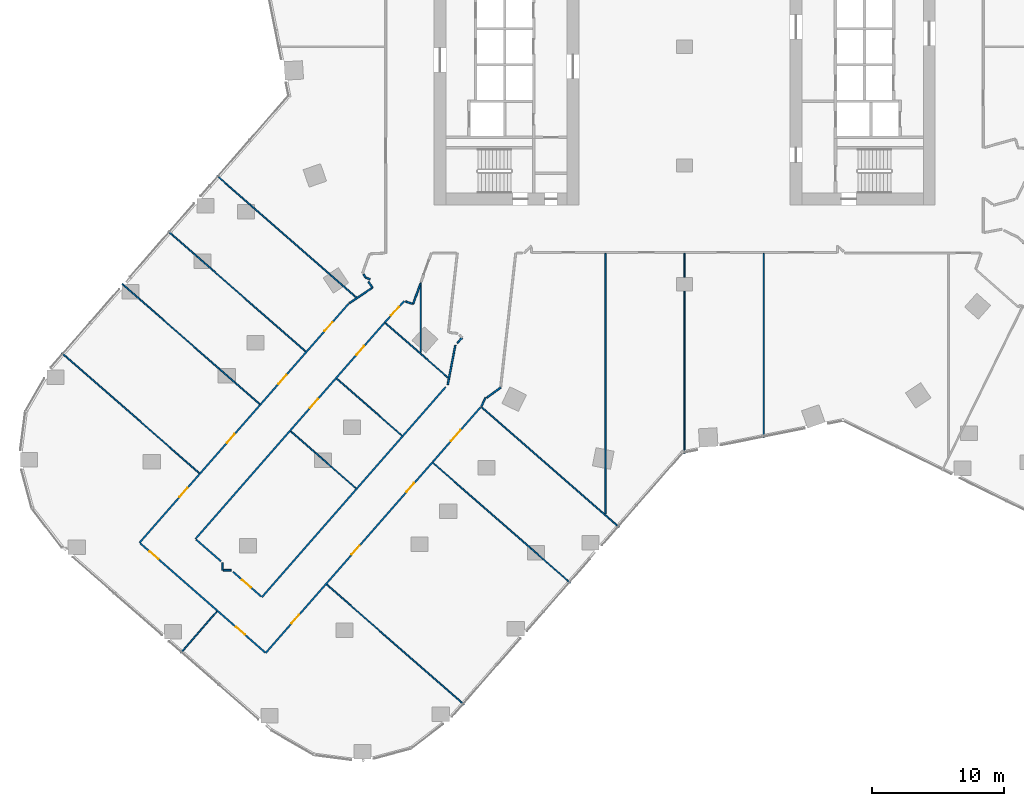
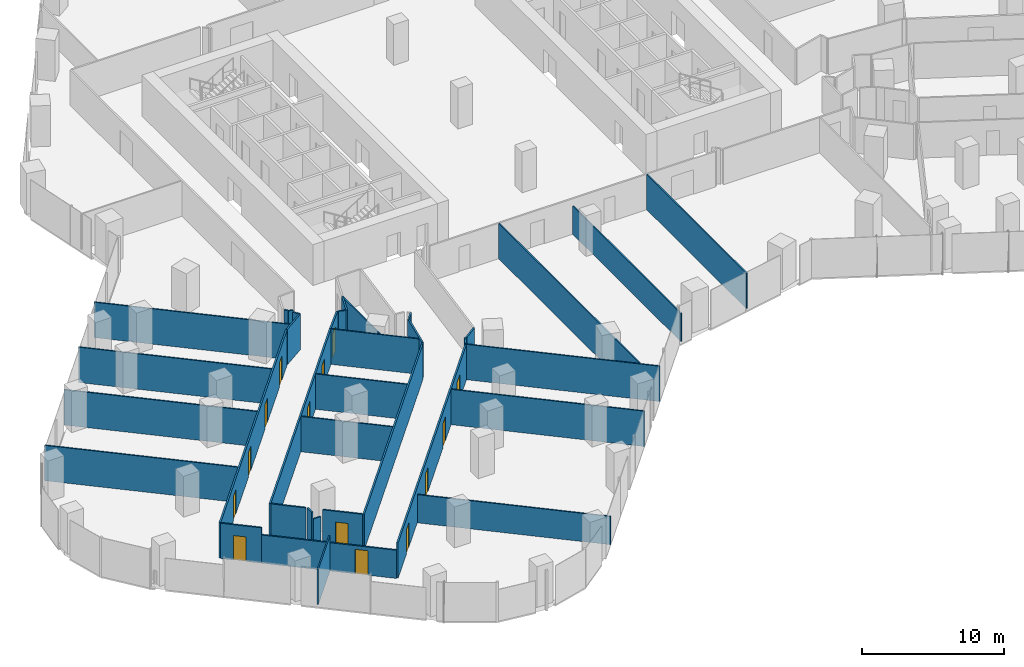
# One storey, part 26 of 38: 36 walls, 14 doors, 14 openings.
"""IFC4 building model written with IfcOpenShell, lengths in metres."""

from ifc_helpers import new_model, si_unit, direction, frame, frame_2d, origin, place, context, subcontext, project, spatial, rectangle, extrude, material, layer, layer_set, type_object, element, fill, save


model = new_model("IFC4")

# Units and contexts
model_context = context("Model", 3, precision=1e-05, world=origin(), true_north=direction((0.0, 1.0)))
body_context = subcontext(model_context, "Body", "Model", "MODEL_VIEW")
ifc_project = project(units=[si_unit("LENGTHUNIT", "METRE"), si_unit("AREAUNIT", "SQUARE_METRE"), si_unit("VOLUMEUNIT", "CUBIC_METRE"), si_unit("PLANEANGLEUNIT", "RADIAN"), si_unit("MASSUNIT", "GRAM", prefix="KILO")], contexts=[model_context])

# Site, building, storey
site_placement = place(None, origin())
site = spatial("IfcSite", under=ifc_project, at=site_placement, CompositionType="ELEMENT")
building_placement = place(site_placement, origin())
building = spatial("IfcBuilding", under=site, at=building_placement, Name="Orlundy Tower", CompositionType="ELEMENT")
storey_placement = place(building_placement, frame((0.0, 0.0, 72.800048828125)))
storey = spatial("IfcBuildingStorey", under=building, at=storey_placement, Name="L17", CompositionType="ELEMENT", Elevation=72.800048828125)

# Walls
ifc_material_1 = material(Name="Gypsum board partition")
ifc_layer_1 = layer(ifc_material_1, 0.10009765625)
ifc_layer_set_1 = layer_set([ifc_layer_1], Name="Floor partition 100")
wall_type_1 = type_object("IfcWallType", Name="Floor partition 100", PredefinedType="PARTITIONING", material=ifc_layer_set_1)
wall_1_placement = place(storey_placement, frame((-47.201904296875, -23.218994140625, 0.0), z_axis=(0.0, 0.0, 1.0), x_axis=(0.752795260656, -0.658254734531, 0.0)))
element("IfcWall", 1, at=wall_1_placement, inside=storey, type_object=wall_type_1, Name="wall-int-L17-014", PredefinedType="PARTITIONING", context=body_context, shape_type="SweptSolid", body=[
    extrude(rectangle(XDim=13.83642578125, YDim=0.10009765625, at=frame_2d((6.918212890625, 0.0))), origin(), (0.0, 0.0, 1.0), 3.030029296875),
])
wall_2_placement = place(storey_placement, frame((-42.6279296875, -17.987060546875, 0.0), z_axis=(0.0, 0.0, 1.0), x_axis=(0.752825840036, -0.65821976161, 0.0)))
element("IfcWall", 2, at=wall_2_placement, inside=storey, type_object=wall_type_1, Name="wall-int-L17-016", PredefinedType="PARTITIONING", context=body_context, shape_type="SweptSolid", body=[
    extrude(rectangle(XDim=13.837158203125, YDim=0.10009765625, at=frame_2d((6.91845703125, 0.0))), origin(), (0.0, 0.0, 1.0), 3.030029296875),
])
wall_3_placement = place(storey_placement, frame((-29.85791015625, -29.153076171875, 0.0), z_axis=(0.0, 0.0, 1.0), x_axis=(0.752836606275, -0.658207447734, 0.0)))
element("IfcWall", 3, at=wall_3_placement, inside=storey, type_object=wall_type_1, Name="wall-int-L17-017", PredefinedType="PARTITIONING", context=body_context, shape_type="SweptSolid", body=[
    extrude(rectangle(XDim=6.57373046875, YDim=0.10009765625, at=frame_2d((3.286865234375, 0.0))), origin(), (0.0, 0.0, 1.0), 3.030029296875),
])
wall_4_placement = place(storey_placement, frame((-39.138916015625, -13.9970703125, 0.0), z_axis=(0.0, 0.0, 1.0), x_axis=(0.752825840036, -0.65821976161, 0.0)))
element("IfcWall", 4, at=wall_4_placement, inside=storey, type_object=wall_type_1, Name="wall-int-L17-018", PredefinedType="PARTITIONING", context=body_context, shape_type="SweptSolid", body=[
    extrude(rectangle(XDim=13.837158203125, YDim=0.10009765625, at=frame_2d((6.91845703125, 0.0))), origin(), (0.0, 0.0, 1.0), 3.030029296875),
])
wall_5_placement = place(storey_placement, frame((-26.368896484375, -25.1630859375, 0.0), z_axis=(0.0, 0.0, 1.0), x_axis=(0.752836606275, -0.658207447734, 0.0)))
element("IfcWall", 5, at=wall_5_placement, inside=storey, type_object=wall_type_1, Name="wall-int-L17-019", PredefinedType="PARTITIONING", context=body_context, shape_type="SweptSolid", body=[
    extrude(rectangle(XDim=6.57373046875, YDim=0.10009765625, at=frame_2d((3.286865234375, 0.0))), origin(), (0.0, 0.0, 1.0), 3.030029296875),
])
wall_6_placement = place(storey_placement, frame((-19.06689453125, -31.548095703125, 0.0), z_axis=(0.0, 0.0, 1.0), x_axis=(0.752795260656, -0.658254734531, 0.0)))
element("IfcWall", 6, at=wall_6_placement, inside=storey, type_object=wall_type_1, Name="wall-int-L17-020", PredefinedType="PARTITIONING", context=body_context, shape_type="SweptSolid", body=[
    extrude(rectangle(XDim=13.83642578125, YDim=0.10009765625, at=frame_2d((6.918212890625, 0.0))), origin(), (0.0, 0.0, 1.0), 3.030029296875),
])
wall_7_placement = place(storey_placement, frame((-35.447998046875, -9.77587890625, 0.0), z_axis=(0.0, 0.0, 1.0), x_axis=(0.752752526875, -0.658303602666, 0.0)))
element("IfcWall", 7, at=wall_7_placement, inside=storey, type_object=wall_type_1, Name="wall-int-L17-021", PredefinedType="PARTITIONING", context=body_context, shape_type="SweptSolid", body=[
    extrude(rectangle(XDim=14.017822265625, YDim=0.10009765625, at=frame_2d((7.0087890625, 0.0))), origin(), (0.0, 0.0, 1.0), 3.030029296875),
])
wall_8_placement = place(storey_placement, frame((-22.677978515625, -20.94189453125, 0.0), z_axis=(0.0, 0.0, 1.0), x_axis=(0.752857732361, -0.658183283611, 0.0)))
element("IfcWall", 8, at=wall_8_placement, inside=storey, type_object=wall_type_1, Name="wall-int-L17-022", PredefinedType="PARTITIONING", context=body_context, shape_type="SweptSolid", body=[
    extrude(rectangle(XDim=6.294677734375, YDim=0.10009765625, at=frame_2d((3.1474609375, 0.0))), origin(), (0.0, 0.0, 1.0), 3.030029296875),
])
wall_9_placement = place(storey_placement, frame((-15.364013671875, -27.337890625, 0.0), z_axis=(0.0, 0.0, 1.0), x_axis=(0.75280535981, -0.658243184729, 0.0)))
element("IfcWall", 9, at=wall_9_placement, inside=storey, type_object=wall_type_1, Name="wall-int-L17-023", PredefinedType="PARTITIONING", context=body_context, shape_type="SweptSolid", body=[
    extrude(rectangle(XDim=13.8203125, YDim=0.10009765625, at=frame_2d((6.91015625, 0.0))), origin(), (0.0, 0.0, 1.0), 3.030029296875),
])
wall_10_placement = place(storey_placement, frame((-38.201904296875, -45.966064453125, 0.0), z_axis=(0.0, 0.0, 1.0), x_axis=(0.658203200775, 0.752840319384, 0.0)))
element("IfcWall", 10, at=wall_10_placement, inside=storey, type_object=wall_type_1, Name="wall-int-L17-067", PredefinedType="PARTITIONING", context=body_context, shape_type="SweptSolid", body=[
    extrude(rectangle(XDim=4.18701171875, YDim=0.10009765625, at=frame_2d((2.093505859375, 0.0))), origin(), (0.0, 0.0, 1.0), 3.030029296875),
])
wall_11_placement = place(storey_placement, frame((6.0, -29.64892578125, 0.0), z_axis=(0.0, 0.0, 1.0), x_axis=(0.0, 1.0, 0.0)))
element("IfcWall", 11, at=wall_11_placement, inside=storey, type_object=wall_type_1, Name="wall-int-L17-097", PredefinedType="PARTITIONING", context=body_context, shape_type="SweptSolid", body=[
    extrude(rectangle(XDim=13.98681640625, YDim=0.10009765625, at=frame_2d((6.993408203125, 0.0))), origin(), (0.0, 0.0, 1.0), 3.030029296875),
])
wall_12_placement = place(storey_placement, frame((-6.0, -35.416015625, 0.0), z_axis=(0.0, 0.0, 1.0), x_axis=(0.0, 1.0, 0.0)))
element("IfcWall", 12, at=wall_12_placement, inside=storey, type_object=wall_type_1, Name="wall-int-L17-099", PredefinedType="PARTITIONING", context=body_context, shape_type="SweptSolid", body=[
    extrude(rectangle(XDim=19.75390625, YDim=0.10009765625, at=frame_2d((9.876953125, 0.0))), origin(), (0.0, 0.0, 1.0), 3.030029296875),
])
wall_13_placement = place(storey_placement, frame((-20.0, -23.174072265625, 0.0), z_axis=(0.0, 0.0, 1.0), x_axis=(0.0, 1.0, 0.0)))
element("IfcWall", 13, at=wall_13_placement, inside=storey, type_object=wall_type_1, Name="wall-int-L17-101", PredefinedType="PARTITIONING", context=body_context, shape_type="SweptSolid", body=[
    extrude(rectangle(XDim=5.274169921875, YDim=0.10009765625, at=frame_2d((2.63720703125, 0.0))), origin(), (0.0, 0.0, 1.0), 3.030029296875),
])
ifc_material_2 = material(Name="Gypsum board partition")
ifc_layer_2 = layer(ifc_material_2, 0.10009765625)
ifc_layer_set_2 = layer_set([ifc_layer_2], Name="Floor partition 100 B")
wall_type_2 = type_object("IfcWallType", Name="Floor partition 100 B", PredefinedType="PARTITIONING", material=ifc_layer_set_2)
wall_14_placement = place(storey_placement, frame((-27.1298828125, -40.77099609375, 0.0), z_axis=(0.0, 0.0, 1.0), x_axis=(0.752792007078, -0.65825845538, 0.0)))
element("IfcWall", 14, at=wall_14_placement, inside=storey, type_object=wall_type_2, Name="wall-int-L17-015", PredefinedType="PARTITIONING", context=body_context, shape_type="SweptSolid", body=[
    extrude(rectangle(XDim=13.8349609375, YDim=0.10009765625, at=frame_2d((6.91748046875, 0.0))), origin(), (0.0, 0.0, 1.0), 2.4189453125),
])
wall_15_placement = place(storey_placement, frame((0.0, -30.85107421875, 0.0), z_axis=(0.0, 0.0, 1.0), x_axis=(0.0, 1.0, 0.0)))
element("IfcWall", 15, at=wall_15_placement, inside=storey, type_object=wall_type_2, Name="wall-int-L17-098", PredefinedType="PARTITIONING", context=body_context, shape_type="SweptSolid", body=[
    extrude(rectangle(XDim=15.18896484375, YDim=0.10009765625, at=frame_2d((7.594482421875, 0.0))), origin(), (0.0, 0.0, 1.0), 2.4189453125),
])
ifc_material_3 = material(Name="Gypsum board partition, double layer")
ifc_layer_3 = layer(ifc_material_3, 0.125)
ifc_layer_set_3 = layer_set([ifc_layer_3], Name="Floor partition 125")
wall_type_3 = type_object("IfcWallType", Name="Floor partition 125", PredefinedType="PARTITIONING", material=ifc_layer_set_3)
wall_16_placement = place(storey_placement, frame((-24.337890625, -17.2529296875, 0.0), z_axis=(0.0, 0.0, 1.0), x_axis=(0.55580542013, -0.831312417178, 0.0)))
element("IfcWall", 16, at=wall_16_placement, inside=storey, type_object=wall_type_3, Name="wall-int-L17-003", PredefinedType="PARTITIONING", context=body_context, shape_type="SweptSolid", body=[
    extrude(rectangle(XDim=0.3056640625, YDim=0.125, at=frame_2d((0.15283203125, 0.0))), origin(), (0.0, 0.0, 1.0), 3.030029296875),
])
wall_17_placement = place(storey_placement, frame((-23.965087890625, -17.81005859375, 0.0), z_axis=(0.0, 0.0, 1.0), x_axis=(0.55613676815, -0.831090786323, 0.0)))
element("IfcWall", 17, at=wall_17_placement, inside=storey, type_object=wall_type_3, Name="wall-int-L17-004", PredefinedType="PARTITIONING", context=body_context, shape_type="SweptSolid", body=[
    extrude(rectangle(XDim=0.548828125, YDim=0.125, at=frame_2d((0.2744140625, 0.0))), origin(), (0.0, 0.0, 1.0), 3.030029296875),
])
wall_18_placement = place(storey_placement, frame((-37.031982421875, -37.35791015625, 0.0), z_axis=(0.0, 0.0, 1.0), x_axis=(0.752691127314, -0.658373804812, 0.0)))
element("IfcWall", 18, at=wall_18_placement, inside=storey, type_object=wall_type_3, Name="wall-int-L17-012", PredefinedType="PARTITIONING", context=body_context, shape_type="SweptSolid", body=[
    extrude(rectangle(XDim=2.5107421875, YDim=0.125, at=frame_2d((1.25537109375, 0.0))), origin(), (0.0, 0.0, 1.0), 3.030029296875),
])

# Wall, opening, door
wall_19_placement = place(storey_placement, frame((-34.239013671875, -39.801025390625, 0.0), z_axis=(0.0, 0.0, 1.0), x_axis=(0.753004386547, -0.658015496657, 0.0)))
wall_19 = element("IfcWall", 19, at=wall_19_placement, inside=storey, type_object=wall_type_3, Name="wall-int-L17-013", PredefinedType="PARTITIONING", context=body_context, shape_type="SweptSolid", body=[
    extrude(rectangle(XDim=2.86328125, YDim=0.125, at=frame_2d((1.431640625, 0.0))), origin(), (0.0, 0.0, 1.0), 3.030029296875),
])
opening_1_placement = place(wall_19_placement, frame((0.93359375, 0.0, 0.0)))
opening_1 = element("IfcOpeningElement", 20, at=opening_1_placement, cuts=wall_19, Name="Opening 14115", PredefinedType="OPENING", context=body_context, shape_type="SweptSolid", body=[
    extrude(rectangle(XDim=0.89990234375, YDim=2.10009765625, at=frame_2d((0.449951171875, 1.050048828125))), frame((0.0, 0.072509765625, 0.0), z_axis=(0.0, -1.0, 0.0), x_axis=(1.0, 0.0, 0.0)), (0.0, 0.0, 1.0), 0.14501953125),
])
ifc_material_4 = material(Name="Timber door leaf", Category="wood")
door_type_1 = type_object("IfcDoorType", Name="Floor door single 900 FD30S", OperationType="NOTDEFINED", PredefinedType="DOOR", material=ifc_material_4)
door_1_placement = place(opening_1_placement, origin())
door_1 = element("IfcDoor", 21, at=door_1_placement, inside=storey, type_object=door_type_1, Name="Door 14115", OperationType="SINGLE_SWING_LEFT", OverallHeight=2.10009765625, OverallWidth=0.89990234375, PredefinedType="DOOR", context=body_context, shape_type="SweptSolid", body=[
    extrude(rectangle(XDim=0.89990234375, YDim=2.10009765625, at=frame_2d((0.449951171875, 1.050048828125))), frame((0.0, 0.02490234375, 0.0), z_axis=(0.0, -1.0, 0.0), x_axis=(1.0, 0.0, 0.0)), (0.0, 0.0, 1.0), 0.050048828125),
])
fill(opening_1, door_1)

wall_20_placement = place(storey_placement, frame((-39.054931640625, -39.574951171875, 0.0), z_axis=(0.0, 0.0, 1.0), x_axis=(-0.753045000135, 0.657969017334, 0.0)))
wall_20 = element("IfcWall", 22, at=wall_20_placement, inside=storey, type_object=wall_type_3, Name="wall-int-L17-024", PredefinedType="PARTITIONING", context=body_context, shape_type="SweptSolid", body=[
    extrude(rectangle(XDim=2.9375, YDim=0.125, at=frame_2d((1.46875, 0.0))), origin(), (0.0, 0.0, 1.0), 3.030029296875),
])
opening_2_placement = place(wall_20_placement, frame((1.10009765625, 0.0, 0.0)))
opening_2 = element("IfcOpeningElement", 23, at=opening_2_placement, cuts=wall_20, Name="Opening 14118", PredefinedType="OPENING", context=body_context, shape_type="SweptSolid", body=[
    extrude(rectangle(XDim=0.89990234375, YDim=2.10009765625, at=frame_2d((0.449951171875, 1.050048828125))), frame((0.0, 0.072509765625, 0.0), z_axis=(0.0, -1.0, 0.0), x_axis=(1.0, 0.0, 0.0)), (0.0, 0.0, 1.0), 0.14501953125),
])
door_2_placement = place(opening_2_placement, origin())
door_2 = element("IfcDoor", 24, at=door_2_placement, inside=storey, type_object=door_type_1, Name="Door 14118", OperationType="SINGLE_SWING_RIGHT", OverallHeight=2.10009765625, OverallWidth=0.89990234375, PredefinedType="DOOR", context=body_context, shape_type="SweptSolid", body=[
    extrude(rectangle(XDim=0.89990234375, YDim=2.10009765625, at=frame_2d((0.449951171875, 1.050048828125))), frame((0.0, 0.02490234375, 0.0), z_axis=(0.0, -1.0, 0.0), x_axis=(1.0, 0.0, 0.0)), (0.0, 0.0, 1.0), 0.050048828125),
])
fill(opening_2, door_2)

# Walls
wall_21_placement = place(storey_placement, frame((-21.15087890625, -19.30810546875, 0.0), z_axis=(0.0, 0.0, 1.0), x_axis=(0.940956165673, -0.33852842463, 0.0)))
element("IfcWall", 25, at=wall_21_placement, inside=storey, type_object=wall_type_3, Name="wall-int-L17-038", PredefinedType="PARTITIONING", context=body_context, shape_type="SweptSolid", body=[
    extrude(rectangle(XDim=0.54296875, YDim=0.125, at=frame_2d((0.271484375, 0.0))), origin(), (0.0, 0.0, 1.0), 3.030029296875),
])
wall_22_placement = place(storey_placement, frame((-24.16796875, -17.507080078125, 0.0), z_axis=(0.0, 0.0, 1.0), x_axis=(0.94089620512, -0.338695041579, 0.0)))
element("IfcWall", 26, at=wall_22_placement, inside=storey, type_object=wall_type_3, Name="wall-int-L17-039", PredefinedType="PARTITIONING", context=body_context, shape_type="SweptSolid", body=[
    extrude(rectangle(XDim=0.35400390625, YDim=0.125, at=frame_2d((0.177001953125, 0.0))), origin(), (0.0, 0.0, 1.0), 3.030029296875),
])
wall_23_placement = place(storey_placement, frame((-14.99609375, -26.60888671875, 0.0), z_axis=(0.0, 0.0, 1.0), x_axis=(0.806577539033, 0.591128305469, 0.0)))
element("IfcWall", 27, at=wall_23_placement, inside=storey, type_object=wall_type_3, Name="wall-int-L17-040", PredefinedType="PARTITIONING", context=body_context, shape_type="SweptSolid", body=[
    extrude(rectangle(XDim=1.30419921875, YDim=0.125, at=frame_2d((0.652099609375, 0.0))), origin(), (0.0, 0.0, 1.0), 3.030029296875),
])
wall_24_placement = place(storey_placement, frame((-23.659912109375, -18.26611328125, 0.0), z_axis=(0.0, 0.0, 1.0), x_axis=(-0.83066036782, -0.556779447658, 0.0)))
element("IfcWall", 28, at=wall_24_placement, inside=storey, type_object=wall_type_3, Name="wall-int-L17-058", PredefinedType="PARTITIONING", context=body_context, shape_type="SweptSolid", body=[
    extrude(rectangle(XDim=2.11181640625, YDim=0.125, at=frame_2d((1.055908203125, 0.0))), origin(), (0.0, 0.0, 1.0), 3.030029296875),
])

# Wall, opening, door
wall_25_placement = place(storey_placement, frame((-21.239013671875, -19.27587890625, 0.0), z_axis=(0.0, 0.0, 1.0), x_axis=(-0.67486064048, -0.737945198461, 0.0)))
wall_25 = element("IfcWall", 29, at=wall_25_placement, inside=storey, type_object=wall_type_3, Name="wall-int-L17-061", PredefinedType="PARTITIONING", context=body_context, shape_type="SweptSolid", body=[
    extrude(rectangle(XDim=2.2021484375, YDim=0.125, at=frame_2d((1.10107421875, 0.0))), origin(), (0.0, 0.0, 1.0), 3.030029296875),
])
opening_3_placement = place(wall_25_placement, frame((0.60009765625, 0.0, 0.0)))
opening_3 = element("IfcOpeningElement", 30, at=opening_3_placement, cuts=wall_25, Name="Opening 14123", PredefinedType="OPENING", context=body_context, shape_type="SweptSolid", body=[
    extrude(rectangle(XDim=0.89990234375, YDim=2.10009765625, at=frame_2d((0.449951171875, 1.050048828125))), frame((0.0, 0.072509765625, 0.0), z_axis=(0.0, -1.0, 0.0), x_axis=(1.0, 0.0, 0.0)), (0.0, 0.0, 1.0), 0.14501953125),
])
door_3_placement = place(opening_3_placement, origin())
door_3 = element("IfcDoor", 31, at=door_3_placement, inside=storey, type_object=door_type_1, Name="Door 14123", OperationType="SINGLE_SWING_LEFT", OverallHeight=2.10009765625, OverallWidth=0.89990234375, PredefinedType="DOOR", context=body_context, shape_type="SweptSolid", body=[
    extrude(rectangle(XDim=0.89990234375, YDim=2.10009765625, at=frame_2d((0.449951171875, 1.050048828125))), frame((0.0, 0.02490234375, 0.0), z_axis=(0.0, -1.0, 0.0), x_axis=(1.0, 0.0, 0.0)), (0.0, 0.0, 1.0), 0.050048828125),
])
fill(opening_3, door_3)

# Wall
wall_26_placement = place(storey_placement, frame((-17.22802734375, -22.468994140625, 0.0), z_axis=(0.0, 0.0, 1.0), x_axis=(0.664256182607, 0.747504999226, 0.0)))
element("IfcWall", 32, at=wall_26_placement, inside=storey, type_object=wall_type_3, Name="wall-int-L17-064", PredefinedType="PARTITIONING", context=body_context, shape_type="SweptSolid", body=[
    extrude(rectangle(XDim=0.56298828125, YDim=0.125, at=frame_2d((0.281494140625, 0.0))), origin(), (0.0, 0.0, 1.0), 3.030029296875),
])

# Wall, openings, doors
wall_27_placement = place(storey_placement, frame((-15.464111328125, -27.3330078125, 0.0), z_axis=(0.0, 0.0, 1.0), x_axis=(-0.658239133646, -0.752808902004, 0.0)))
wall_27 = element("IfcWall", 33, at=wall_27_placement, inside=storey, type_object=wall_type_3, Name="wall-int-L17-065", PredefinedType="PARTITIONING", context=body_context, shape_type="SweptSolid", body=[
    extrude(rectangle(XDim=24.74462890625, YDim=0.125, at=frame_2d((12.372314453125, 0.0))), origin(), (0.0, 0.0, 1.0), 3.030029296875),
])
opening_4_placement = place(wall_27_placement, frame((2.28759765625, 0.0, 0.0)))
opening_4 = element("IfcOpeningElement", 34, at=opening_4_placement, cuts=wall_27, Name="Opening 14109", PredefinedType="OPENING", context=body_context, shape_type="SweptSolid", body=[
    extrude(rectangle(XDim=1.10009765625, YDim=2.10009765625, at=frame_2d((0.550048828125, 1.050048828125))), frame((0.0, 0.072509765625, 0.0), z_axis=(0.0, -1.0, 0.0), x_axis=(1.0, 0.0, 0.0)), (0.0, 0.0, 1.0), 0.14501953125),
])
opening_5_placement = place(wall_27_placement, frame((13.9443359375, 0.0, 0.0)))
opening_5 = element("IfcOpeningElement", 35, at=opening_5_placement, cuts=wall_27, Name="Opening 14110", PredefinedType="OPENING", context=body_context, shape_type="SweptSolid", body=[
    extrude(rectangle(XDim=0.89990234375, YDim=2.10009765625, at=frame_2d((0.449951171875, 1.050048828125))), frame((0.0, 0.072509765625, 0.0), z_axis=(0.0, -1.0, 0.0), x_axis=(1.0, 0.0, 0.0)), (0.0, 0.0, 1.0), 0.14501953125),
])
opening_6_placement = place(wall_27_placement, frame((7.6455078125, 0.0, 0.0)))
opening_6 = element("IfcOpeningElement", 36, at=opening_6_placement, cuts=wall_27, Name="Opening 14111", PredefinedType="OPENING", context=body_context, shape_type="SweptSolid", body=[
    extrude(rectangle(XDim=0.89990234375, YDim=2.10009765625, at=frame_2d((0.449951171875, 1.050048828125))), frame((0.0, 0.072509765625, 0.0), z_axis=(0.0, -1.0, 0.0), x_axis=(1.0, 0.0, 0.0)), (0.0, 0.0, 1.0), 0.14501953125),
])
opening_7_placement = place(wall_27_placement, frame((20.89453125, 0.0, 0.0)))
opening_7 = element("IfcOpeningElement", 37, at=opening_7_placement, cuts=wall_27, Name="Opening 14117", PredefinedType="OPENING", context=body_context, shape_type="SweptSolid", body=[
    extrude(rectangle(XDim=0.89990234375, YDim=2.10009765625, at=frame_2d((0.449951171875, 1.050048828125))), frame((0.0, 0.072509765625, 0.0), z_axis=(0.0, -1.0, 0.0), x_axis=(1.0, 0.0, 0.0)), (0.0, 0.0, 1.0), 0.14501953125),
])
door_4_placement = place(opening_5_placement, origin())
door_4 = element("IfcDoor", 38, at=door_4_placement, inside=storey, type_object=door_type_1, Name="Door 14110", OperationType="SINGLE_SWING_RIGHT", OverallHeight=2.10009765625, OverallWidth=0.89990234375, PredefinedType="DOOR", context=body_context, shape_type="SweptSolid", body=[
    extrude(rectangle(XDim=0.89990234375, YDim=2.10009765625, at=frame_2d((0.449951171875, 1.050048828125))), frame((0.0, 0.02490234375, 0.0), z_axis=(0.0, -1.0, 0.0), x_axis=(1.0, 0.0, 0.0)), (0.0, 0.0, 1.0), 0.050048828125),
])
fill(opening_5, door_4)
door_5_placement = place(opening_6_placement, origin())
door_5 = element("IfcDoor", 39, at=door_5_placement, inside=storey, type_object=door_type_1, Name="Door 14111", OperationType="SINGLE_SWING_LEFT", OverallHeight=2.10009765625, OverallWidth=0.89990234375, PredefinedType="DOOR", context=body_context, shape_type="SweptSolid", body=[
    extrude(rectangle(XDim=0.89990234375, YDim=2.10009765625, at=frame_2d((0.449951171875, 1.050048828125))), frame((0.0, 0.02490234375, 0.0), z_axis=(0.0, -1.0, 0.0), x_axis=(1.0, 0.0, 0.0)), (0.0, 0.0, 1.0), 0.050048828125),
])
fill(opening_6, door_5)
door_6_placement = place(opening_7_placement, origin())
door_6 = element("IfcDoor", 40, at=door_6_placement, inside=storey, type_object=door_type_1, Name="Door 14117", OperationType="SINGLE_SWING_RIGHT", OverallHeight=2.10009765625, OverallWidth=0.89990234375, PredefinedType="DOOR", context=body_context, shape_type="SweptSolid", body=[
    extrude(rectangle(XDim=0.89990234375, YDim=2.10009765625, at=frame_2d((0.449951171875, 1.050048828125))), frame((0.0, 0.02490234375, 0.0), z_axis=(0.0, -1.0, 0.0), x_axis=(1.0, 0.0, 0.0)), (0.0, 0.0, 1.0), 0.050048828125),
])
fill(opening_7, door_6)
ifc_material_5 = material(Name="Timber door leaf", Category="wood")
door_type_2 = type_object("IfcDoorType", Name="Floor door xwide 1100 FD30S", OperationType="NOTDEFINED", PredefinedType="DOOR", material=ifc_material_5)
door_7_placement = place(opening_4_placement, origin())
door_7 = element("IfcDoor", 41, at=door_7_placement, inside=storey, type_object=door_type_2, Name="Door 14109", OperationType="SINGLE_SWING_LEFT", OverallHeight=2.10009765625, OverallWidth=1.10009765625, PredefinedType="DOOR", context=body_context, shape_type="SweptSolid", body=[
    extrude(rectangle(XDim=1.10009765625, YDim=2.10009765625, at=frame_2d((0.550048828125, 1.050048828125))), frame((0.0, 0.02490234375, 0.0), z_axis=(0.0, -1.0, 0.0), x_axis=(1.0, 0.0, 0.0)), (0.0, 0.0, 1.0), 0.050048828125),
])
fill(opening_4, door_7)

# Wall
wall_28_placement = place(storey_placement, frame((-32.035888671875, -41.72607421875, 0.0), z_axis=(0.0, 0.0, 1.0), x_axis=(0.658231851406, 0.752815269369, 0.0)))
element("IfcWall", 42, at=wall_28_placement, inside=storey, type_object=wall_type_3, Name="wall-int-L17-066", PredefinedType="PARTITIONING", context=body_context, shape_type="SweptSolid", body=[
    extrude(rectangle(XDim=21.168701171875, YDim=0.125, at=frame_2d((10.58447265625, 0.0))), origin(), (0.0, 0.0, 1.0), 3.030029296875),
])

# Wall, openings, doors
wall_29_placement = place(storey_placement, frame((-22.736083984375, -20.9130859375, 0.0), z_axis=(0.0, 0.0, 1.0), x_axis=(-0.658236458127, -0.752811241409, 0.0)))
wall_29 = element("IfcWall", 43, at=wall_29_placement, inside=storey, type_object=wall_type_3, Name="wall-int-L17-068", PredefinedType="PARTITIONING", context=body_context, shape_type="SweptSolid", body=[
    extrude(rectangle(XDim=21.7900390625, YDim=0.125, at=frame_2d((10.89501953125, 0.0))), origin(), (0.0, 0.0, 1.0), 3.030029296875),
])
opening_8_placement = place(wall_29_placement, frame((2.35009765625, 0.0, 0.0)))
opening_8 = element("IfcOpeningElement", 44, at=opening_8_placement, cuts=wall_29, Name="Opening 14112", PredefinedType="OPENING", context=body_context, shape_type="SweptSolid", body=[
    extrude(rectangle(XDim=0.89990234375, YDim=2.10009765625, at=frame_2d((0.449951171875, 1.050048828125))), frame((0.0, 0.072509765625, 0.0), z_axis=(0.0, -1.0, 0.0), x_axis=(1.0, 0.0, 0.0)), (0.0, 0.0, 1.0), 0.14501953125),
])
opening_9_placement = place(wall_29_placement, frame((7.69091796875, 0.0, 0.0)))
opening_9 = element("IfcOpeningElement", 45, at=opening_9_placement, cuts=wall_29, Name="Opening 14113", PredefinedType="OPENING", context=body_context, shape_type="SweptSolid", body=[
    extrude(rectangle(XDim=0.89990234375, YDim=2.10009765625, at=frame_2d((0.449951171875, 1.050048828125))), frame((0.0, 0.072509765625, 0.0), z_axis=(0.0, -1.0, 0.0), x_axis=(1.0, 0.0, 0.0)), (0.0, 0.0, 1.0), 0.14501953125),
])
door_8_placement = place(opening_8_placement, origin())
door_8 = element("IfcDoor", 46, at=door_8_placement, inside=storey, type_object=door_type_1, Name="Door 14112", OperationType="SINGLE_SWING_LEFT", OverallHeight=2.10009765625, OverallWidth=0.89990234375, PredefinedType="DOOR", context=body_context, shape_type="SweptSolid", body=[
    extrude(rectangle(XDim=0.89990234375, YDim=2.10009765625, at=frame_2d((0.449951171875, 1.050048828125))), frame((0.0, 0.02490234375, 0.0), z_axis=(0.0, -1.0, 0.0), x_axis=(1.0, 0.0, 0.0)), (0.0, 0.0, 1.0), 0.050048828125),
])
fill(opening_8, door_8)
door_9_placement = place(opening_9_placement, origin())
door_9 = element("IfcDoor", 47, at=door_9_placement, inside=storey, type_object=door_type_1, Name="Door 14113", OperationType="SINGLE_SWING_LEFT", OverallHeight=2.10009765625, OverallWidth=0.89990234375, PredefinedType="DOOR", context=body_context, shape_type="SweptSolid", body=[
    extrude(rectangle(XDim=0.89990234375, YDim=2.10009765625, at=frame_2d((0.449951171875, 1.050048828125))), frame((0.0, 0.02490234375, 0.0), z_axis=(0.0, -1.0, 0.0), x_axis=(1.0, 0.0, 0.0)), (0.0, 0.0, 1.0), 0.050048828125),
])
fill(opening_9, door_9)

wall_30_placement = place(storey_placement, frame((-41.31396484375, -37.60009765625, 0.0), z_axis=(0.0, 0.0, 1.0), x_axis=(0.658340906106, 0.752719902319, 0.0)))
wall_30 = element("IfcWall", 48, at=wall_30_placement, inside=storey, type_object=wall_type_3, Name="wall-int-L17-069", PredefinedType="PARTITIONING", context=body_context, shape_type="SweptSolid", body=[
    extrude(rectangle(XDim=24.075439453125, YDim=0.125, at=frame_2d((12.03759765625, 0.0))), origin(), (0.0, 0.0, 1.0), 3.030029296875),
])
opening_10_placement = place(wall_30_placement, frame((10.050048828125, 0.0, 0.0)))
opening_10 = element("IfcOpeningElement", 49, at=opening_10_placement, cuts=wall_30, Name="Opening 14114", PredefinedType="OPENING", context=body_context, shape_type="SweptSolid", body=[
    extrude(rectangle(XDim=0.89990234375, YDim=2.10009765625, at=frame_2d((0.449951171875, 1.050048828125))), frame((0.0, 0.072509765625, 0.0), z_axis=(0.0, -1.0, 0.0), x_axis=(1.0, 0.0, 0.0)), (0.0, 0.0, 1.0), 0.14501953125),
])
opening_11_placement = place(wall_30_placement, frame((4.599853515625, 0.0, 0.0)))
opening_11 = element("IfcOpeningElement", 50, at=opening_11_placement, cuts=wall_30, Name="Opening 14119", PredefinedType="OPENING", context=body_context, shape_type="SweptSolid", body=[
    extrude(rectangle(XDim=0.89990234375, YDim=2.10009765625, at=frame_2d((0.449951171875, 1.050048828125))), frame((0.0, 0.072509765625, 0.0), z_axis=(0.0, -1.0, 0.0), x_axis=(1.0, 0.0, 0.0)), (0.0, 0.0, 1.0), 0.14501953125),
])
opening_12_placement = place(wall_30_placement, frame((21.300537109375, 0.0, 0.0)))
opening_12 = element("IfcOpeningElement", 51, at=opening_12_placement, cuts=wall_30, Name="Opening 14120", PredefinedType="OPENING", context=body_context, shape_type="SweptSolid", body=[
    extrude(rectangle(XDim=0.89990234375, YDim=2.10009765625, at=frame_2d((0.449951171875, 1.050048828125))), frame((0.0, 0.072509765625, 0.0), z_axis=(0.0, -1.0, 0.0), x_axis=(1.0, 0.0, 0.0)), (0.0, 0.0, 1.0), 0.14501953125),
])
opening_13_placement = place(wall_30_placement, frame((16.000244140625, 0.0, 0.0)))
opening_13 = element("IfcOpeningElement", 52, at=opening_13_placement, cuts=wall_30, Name="Opening 14121", PredefinedType="OPENING", context=body_context, shape_type="SweptSolid", body=[
    extrude(rectangle(XDim=0.89990234375, YDim=2.10009765625, at=frame_2d((0.449951171875, 1.050048828125))), frame((0.0, 0.072509765625, 0.0), z_axis=(0.0, -1.0, 0.0), x_axis=(1.0, 0.0, 0.0)), (0.0, 0.0, 1.0), 0.14501953125),
])
door_10_placement = place(opening_10_placement, origin())
door_10 = element("IfcDoor", 53, at=door_10_placement, inside=storey, type_object=door_type_1, Name="Door 14114", OperationType="SINGLE_SWING_LEFT", OverallHeight=2.10009765625, OverallWidth=0.89990234375, PredefinedType="DOOR", context=body_context, shape_type="SweptSolid", body=[
    extrude(rectangle(XDim=0.89990234375, YDim=2.10009765625, at=frame_2d((0.449951171875, 1.050048828125))), frame((0.0, 0.02490234375, 0.0), z_axis=(0.0, -1.0, 0.0), x_axis=(1.0, 0.0, 0.0)), (0.0, 0.0, 1.0), 0.050048828125),
])
fill(opening_10, door_10)
door_11_placement = place(opening_11_placement, origin())
door_11 = element("IfcDoor", 54, at=door_11_placement, inside=storey, type_object=door_type_1, Name="Door 14119", OperationType="SINGLE_SWING_LEFT", OverallHeight=2.10009765625, OverallWidth=0.89990234375, PredefinedType="DOOR", context=body_context, shape_type="SweptSolid", body=[
    extrude(rectangle(XDim=0.89990234375, YDim=2.10009765625, at=frame_2d((0.449951171875, 1.050048828125))), frame((0.0, 0.02490234375, 0.0), z_axis=(0.0, -1.0, 0.0), x_axis=(1.0, 0.0, 0.0)), (0.0, 0.0, 1.0), 0.050048828125),
])
fill(opening_11, door_11)
door_12_placement = place(opening_12_placement, origin())
door_12 = element("IfcDoor", 55, at=door_12_placement, inside=storey, type_object=door_type_1, Name="Door 14120", OperationType="SINGLE_SWING_RIGHT", OverallHeight=2.10009765625, OverallWidth=0.89990234375, PredefinedType="DOOR", context=body_context, shape_type="SweptSolid", body=[
    extrude(rectangle(XDim=0.89990234375, YDim=2.10009765625, at=frame_2d((0.449951171875, 1.050048828125))), frame((0.0, 0.02490234375, 0.0), z_axis=(0.0, -1.0, 0.0), x_axis=(1.0, 0.0, 0.0)), (0.0, 0.0, 1.0), 0.050048828125),
])
fill(opening_12, door_12)
door_13_placement = place(opening_13_placement, origin())
door_13 = element("IfcDoor", 56, at=door_13_placement, inside=storey, type_object=door_type_1, Name="Door 14121", OperationType="SINGLE_SWING_RIGHT", OverallHeight=2.10009765625, OverallWidth=0.89990234375, PredefinedType="DOOR", context=body_context, shape_type="SweptSolid", body=[
    extrude(rectangle(XDim=0.89990234375, YDim=2.10009765625, at=frame_2d((0.449951171875, 1.050048828125))), frame((0.0, 0.02490234375, 0.0), z_axis=(0.0, -1.0, 0.0), x_axis=(1.0, 0.0, 0.0)), (0.0, 0.0, 1.0), 0.050048828125),
])
fill(opening_13, door_13)

# Walls
wall_31_placement = place(storey_placement, frame((-15.405029296875, -27.26611328125, 0.0), z_axis=(0.0, 0.0, 1.0), x_axis=(0.435199770088, 0.900333915897, 0.0)))
element("IfcWall", 57, at=wall_31_placement, inside=storey, type_object=wall_type_3, Name="wall-int-L17-082", PredefinedType="PARTITIONING", context=body_context, shape_type="SweptSolid", body=[
    extrude(rectangle(XDim=0.7421875, YDim=0.125, at=frame_2d((0.37109375, 0.0))), origin(), (0.0, 0.0, 1.0), 3.030029296875),
])
wall_32_placement = place(storey_placement, frame((-20.580078125, -19.512939453125, 0.0), z_axis=(0.0, 0.0, 1.0), x_axis=(0.338137852557, 0.941096590509, 0.0)))
element("IfcWall", 58, at=wall_32_placement, inside=storey, type_object=wall_type_3, Name="wall-int-L17-084", PredefinedType="PARTITIONING", context=body_context, shape_type="SweptSolid", body=[
    extrude(rectangle(XDim=1.6650390625, YDim=0.125, at=frame_2d((0.83251953125, 0.0))), origin(), (0.0, 0.0, 1.0), 3.030029296875),
])
wall_33_placement = place(storey_placement, frame((-17.949951171875, -25.616943359375, 0.0), z_axis=(0.0, 0.0, 1.0), x_axis=(0.188644670049, 0.982045410591, 0.0)))
element("IfcWall", 59, at=wall_33_placement, inside=storey, type_object=wall_type_3, Name="wall-int-L17-087", PredefinedType="PARTITIONING", context=body_context, shape_type="SweptSolid", body=[
    extrude(rectangle(XDim=3.037353515625, YDim=0.125, at=frame_2d((1.5185546875, 0.0))), origin(), (0.0, 0.0, 1.0), 3.030029296875),
])
wall_34_placement = place(storey_placement, frame((-35.037109375, -39.68994140625, 0.0), z_axis=(0.0, 0.0, 1.0), x_axis=(0.0, 1.0, 0.0)))
element("IfcWall", 60, at=wall_34_placement, inside=storey, type_object=wall_type_3, Name="wall-int-L17-104", PredefinedType="PARTITIONING", context=body_context, shape_type="SweptSolid", body=[
    extrude(rectangle(XDim=0.587890625, YDim=0.125, at=frame_2d((0.2939453125, 0.0))), origin(), (0.0, 0.0, 1.0), 3.030029296875),
])

# Wall, opening, door
ifc_material_6 = material(Name="Gypsum board partition, double layer")
ifc_layer_4 = layer(ifc_material_6, 0.125)
ifc_layer_set_4 = layer_set([ifc_layer_4], Name="Floor partition 125 B")
wall_type_4 = type_object("IfcWallType", Name="Floor partition 125 B", PredefinedType="PARTITIONING", material=ifc_layer_set_4)
wall_35_placement = place(storey_placement, frame((-31.798095703125, -45.9208984375, 0.0), z_axis=(0.0, 0.0, 1.0), x_axis=(-0.752771196542, 0.658282253792, 0.0)))
wall_35 = element("IfcWall", 61, at=wall_35_placement, inside=storey, type_object=wall_type_4, Name="wall-int-L17-011", PredefinedType="PARTITIONING", context=body_context, shape_type="SweptSolid", body=[
    extrude(rectangle(XDim=9.64013671875, YDim=0.125, at=frame_2d((4.820068359375, 0.0))), origin(), (0.0, 0.0, 1.0), 2.4189453125),
])
opening_14_placement = place(wall_35_placement, frame((2.039794921875, 0.0, 0.0)))
opening_14 = element("IfcOpeningElement", 62, at=opening_14_placement, cuts=wall_35, Name="Opening 14116", PredefinedType="OPENING", context=body_context, shape_type="SweptSolid", body=[
    extrude(rectangle(XDim=0.89990234375, YDim=2.10009765625, at=frame_2d((0.449951171875, 1.050048828125))), frame((0.0, 0.072509765625, 0.0), z_axis=(0.0, -1.0, 0.0), x_axis=(1.0, 0.0, 0.0)), (0.0, 0.0, 1.0), 0.14501953125),
])
door_14_placement = place(opening_14_placement, origin())
door_14 = element("IfcDoor", 63, at=door_14_placement, inside=storey, type_object=door_type_1, Name="Door 14116", OperationType="SINGLE_SWING_LEFT", OverallHeight=2.10009765625, OverallWidth=0.89990234375, PredefinedType="DOOR", context=body_context, shape_type="SweptSolid", body=[
    extrude(rectangle(XDim=0.89990234375, YDim=2.10009765625, at=frame_2d((0.449951171875, 1.050048828125))), frame((0.0, 0.02490234375, 0.0), z_axis=(0.0, -1.0, 0.0), x_axis=(1.0, 0.0, 0.0)), (0.0, 0.0, 1.0), 0.050048828125),
])
fill(opening_14, door_14)

# Wall
wall_36_placement = place(storey_placement, frame((-34.97412109375, -39.68994140625, 0.0), z_axis=(0.0, 0.0, 1.0), x_axis=(1.0, 0.0, 0.0)))
element("IfcWall", 64, at=wall_36_placement, inside=storey, type_object=wall_type_4, Name="wall-int-L17-044", PredefinedType="PARTITIONING", context=body_context, shape_type="SweptSolid", body=[
    extrude(rectangle(XDim=0.609130859375, YDim=0.125, at=frame_2d((0.3046875, 0.0))), origin(), (0.0, 0.0, 1.0), 2.4189453125),
])

save(model, "model.ifc")
